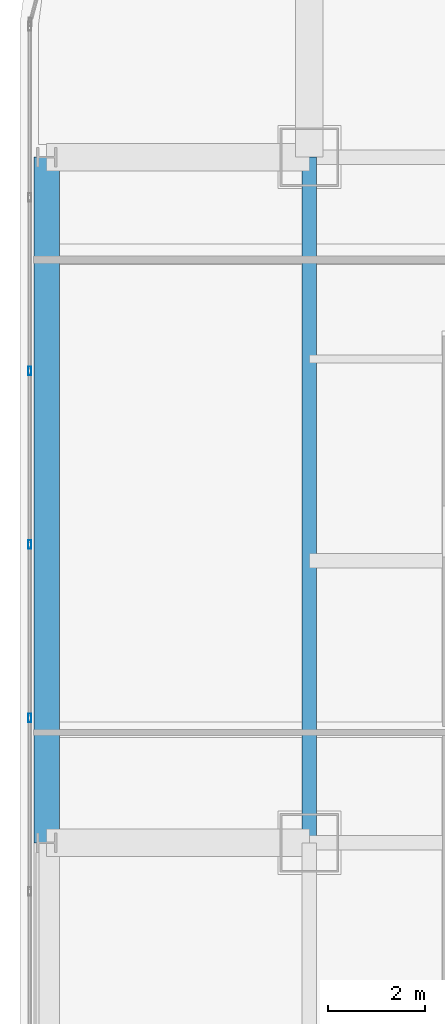
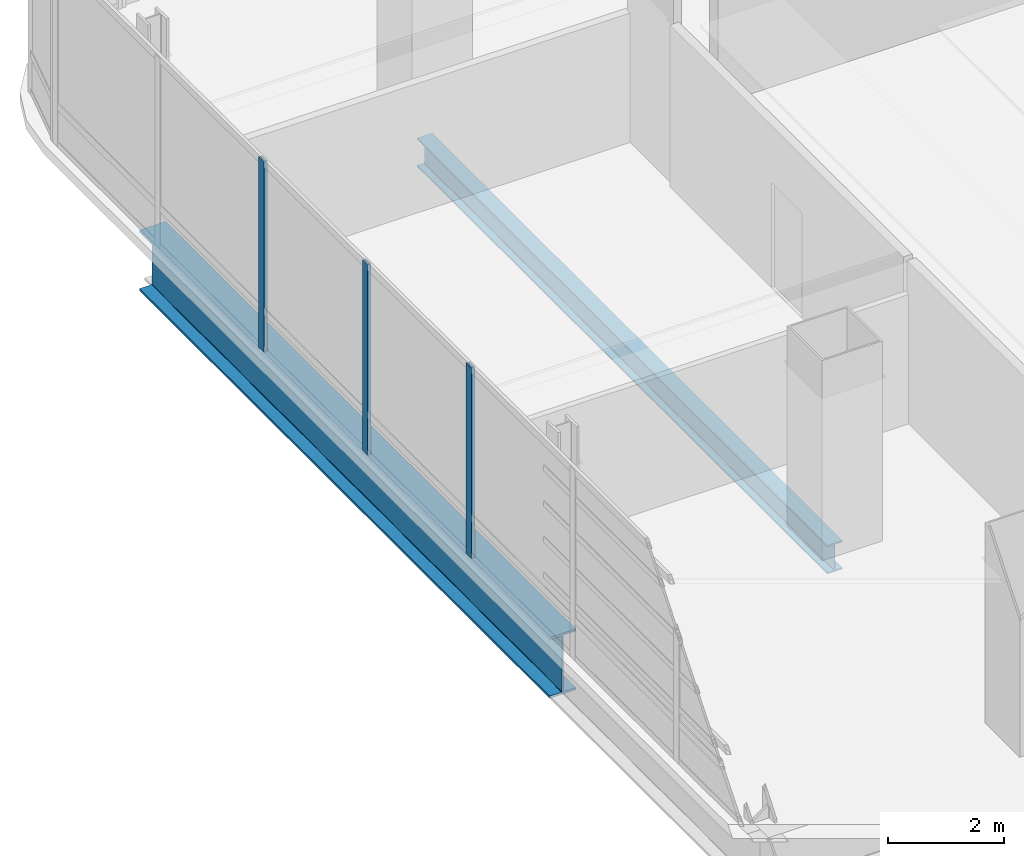
# One storey, part 13 of 42: 3 members, 2 beams, 1 element without a shape of its own.
"""IFC4 building model written with IfcOpenShell, lengths in metres."""

import ifcopenshell
import ifcopenshell.guid

model = None  # the IFC model being written
_history = None  # IfcOwnerHistory: only IFC2X3 demands one
_inside = {}  # id of a spatial element -> (the spatial element, [elements in it])
_under = {}  # id of a project, library or spatial element -> (it, [spatial elements below it])
_declared = {}  # id of a project -> (the project, [libraries it declares])
_typed = {}  # id of a type object -> (the type object, [elements of that type])
_made_of = {}  # id of a material, layer set ... -> (it, [elements and type objects made of it])


def new_model(schema):
    """Start an empty IFC model of exactly this schema.

    Asked for "IFC4X3", IfcOpenShell would pick the latest addendum, in which some entities
    have other attributes; the version numbers below select the first issue.
    IFC2X3 requires an IfcOwnerHistory on every rooted entity: one is made here for all.
    """
    global model, _history
    if schema == "IFC4X3":
        model = ifcopenshell.file(schema_version=(4, 3, 0, 0))
    else:
        model = ifcopenshell.file(schema=schema)
    _inside.clear()
    _under.clear()
    _declared.clear()
    _typed.clear()
    _made_of.clear()
    _history = None
    if model.schema == "IFC2X3":
        org = make("IfcOrganization", Name="unknown")
        user = make(
            "IfcPersonAndOrganization",
            ThePerson=make("IfcPerson", FamilyName="unknown"),
            TheOrganization=org,
        )
        app = make(
            "IfcApplication",
            ApplicationDeveloper=org,
            Version="unknown",
            ApplicationFullName="unknown",
            ApplicationIdentifier="unknown",
        )
        _history = make(
            "IfcOwnerHistory",
            OwningUser=user,
            OwningApplication=app,
            ChangeAction="ADDED",
            CreationDate=0,
        )
    return model


def make(cls, **values):
    """One entity of the class cls with the attributes given. An attribute that is None is left unset."""
    return model.create_entity(
        cls, **{name: value for name, value in values.items() if value is not None}
    )


def rooted(cls, **values):
    """An entity with a GlobalId (a new one), such as an element, a storey or a relation."""
    return make(cls, GlobalId=ifcopenshell.guid.new(), OwnerHistory=_history, **values)


def si_unit(unit_type, name, prefix=None):
    """IfcSIUnit, for example si_unit("LENGTHUNIT", "METRE", prefix="MILLI")."""
    return make("IfcSIUnit", UnitType=unit_type, Prefix=prefix, Name=name)


def assignment(units):
    """IfcUnitAssignment: the units of a project."""
    return None if units is None else make("IfcUnitAssignment", Units=units)


def point(xyz):
    """IfcCartesianPoint."""
    return None if xyz is None else make("IfcCartesianPoint", Coordinates=xyz)


def direction(xyz):
    """IfcDirection."""
    return None if xyz is None else make("IfcDirection", DirectionRatios=xyz)


def frame(location, z_axis=None, x_axis=None):
    """IfcAxis2Placement3D, a coordinate frame: its origin and axes. An axis left out is left unset."""
    return make(
        "IfcAxis2Placement3D",
        Location=point(location),
        Axis=direction(z_axis),
        RefDirection=direction(x_axis),
    )


def frame_2d(location, x_axis=None):
    """IfcAxis2Placement2D, a coordinate frame in the plane: its origin and x axis."""
    return make(
        "IfcAxis2Placement2D", Location=point(location), RefDirection=direction(x_axis)
    )


def origin():
    """The frame at (0, 0, 0) with its axes left unset."""
    return frame((0.0, 0.0, 0.0))


def origin_2d():
    """The frame at (0, 0) in the plane with its x axis left unset."""
    return frame_2d((0.0, 0.0))


def place(relative_to, where):
    """IfcLocalPlacement: puts the frame where relative to a parent placement (None: the world)."""
    return make(
        "IfcLocalPlacement", PlacementRelTo=relative_to, RelativePlacement=where
    )


def context(
    kind, dimensions, precision=None, world=None, true_north=None, identifier=None
):
    """IfcGeometricRepresentationContext, for example the 3D "Model" context."""
    return make(
        "IfcGeometricRepresentationContext",
        ContextIdentifier=identifier,
        ContextType=kind,
        CoordinateSpaceDimension=dimensions,
        Precision=precision,
        WorldCoordinateSystem=world,
        TrueNorth=true_north,
    )


def subcontext(parent, identifier, kind, view, scale=None):
    """IfcGeometricRepresentationSubContext, for example "Body" below "Model"."""
    return make(
        "IfcGeometricRepresentationSubContext",
        ContextIdentifier=identifier,
        ContextType=kind,
        ParentContext=parent,
        TargetScale=scale,
        TargetView=view,
    )


def project(units=None, contexts=None):
    """IfcProject with its units and contexts."""
    return rooted(
        "IfcProject",
        Name="project",
        RepresentationContexts=contexts,
        UnitsInContext=assignment(units),
    )


def spatial(cls, under=None, at=None, **own):
    """A site, building, storey or space (cls), placed at a placement, below another one or the project."""
    s = rooted(cls, ObjectPlacement=at, **own)
    if under is not None:
        _under.setdefault(under.id(), (under, []))[1].append(s)
    return s


def profile(cls, at=None, kind="AREA", **sizes):
    """A parametric profile (cls). Its sizes go by their IFC names, for example OverallWidth=200.0."""
    return make(cls, ProfileType=kind, Position=at, **sizes)


def hollow_rectangle(**sizes):
    """IfcRectangleHollowProfileDef."""
    return profile("IfcRectangleHollowProfileDef", **sizes)


def i_section(**sizes):
    """IfcIShapeProfileDef."""
    return profile("IfcIShapeProfileDef", **sizes)


def extrude(swept, where, along, depth):
    """IfcExtrudedAreaSolid: the profile swept, set in the frame where, extruded along a direction by depth."""
    return make(
        "IfcExtrudedAreaSolid",
        SweptArea=swept,
        Position=where,
        ExtrudedDirection=direction(along),
        Depth=depth,
    )


def shape(context_of_items, identifier, shape_type, items):
    """IfcShapeRepresentation: the items that make up one representation, for example the "Body"."""
    return make(
        "IfcShapeRepresentation",
        ContextOfItems=context_of_items,
        RepresentationIdentifier=identifier,
        RepresentationType=shape_type,
        Items=items,
    )


def material(Name=None, Category=None):
    """IfcMaterial."""
    return make("IfcMaterial", Name=Name, Category=Category)


def material_profile(
    of_material, cross_section, Name=None, Category=None, Priority=None
):
    """IfcMaterialProfile: a cross section and its material."""
    return make(
        "IfcMaterialProfile",
        Name=Name,
        Material=of_material,
        Profile=cross_section,
        Priority=Priority,
        Category=Category,
    )


def profile_set(profiles, Name=None, composite=None):
    """IfcMaterialProfileSet."""
    return make(
        "IfcMaterialProfileSet",
        Name=Name,
        MaterialProfiles=profiles,
        CompositeProfile=composite,
    )


def made_of(thing, what):
    """Note that an element or type object is made of a material, layer set ...; save() writes the relation."""
    if what is not None:
        _made_of.setdefault(what.id(), (what, []))[1].append(thing)
    return thing


def type_object(cls, material=None, **own):
    """A type object (cls), such as IfcWallType, which elements share."""
    return made_of(rooted(cls, **own), material)


def element(
    cls,
    number,
    at=None,
    inside=None,
    cuts=None,
    type_object=None,
    material=None,
    context=None,
    identifier="Body",
    shape_type=None,
    held_by="IfcProductDefinitionShape",
    body=None,
    shapes=None,
    **own,
):
    """One element of the class cls, such as IfcWall. Its Tag is "e" and its number.

    at: its placement. inside: the storey or other place that contains it. cuts: it is an
    opening in that element (IfcRelVoidsElement). A single representation is given by context,
    identifier, shape_type and body (its items); several are given by shapes. held_by: the class
    of the entity that holds the representations. save() writes the other relations.
    """
    e = rooted(cls, Tag="e%d" % number, ObjectPlacement=at, **own)
    if body is not None:
        shapes = [shape(context, identifier, shape_type, body)]
    if shapes is not None:
        e.Representation = make(held_by, Representations=shapes)
    if inside is not None:
        _inside.setdefault(inside.id(), (inside, []))[1].append(e)
    if cuts is not None:
        rooted(
            "IfcRelVoidsElement", RelatingBuildingElement=cuts, RelatedOpeningElement=e
        )
    if type_object is not None:
        _typed.setdefault(type_object.id(), (type_object, []))[1].append(e)
    return made_of(e, material)


def aggregate(whole, parts):
    """IfcRelAggregates: a whole, such as a stair, and the parts it consists of."""
    return rooted("IfcRelAggregates", RelatingObject=whole, RelatedObjects=parts)


def save(model, path):
    """Write the relations noted so far, then the file.

    IfcRelAggregates (storeys below a building ...), IfcRelContainedInSpatialStructure (elements
    in a storey), IfcRelDefinesByType, IfcRelAssociatesMaterial and IfcRelDeclares: one each for
    every whole, place, type object, material and project.
    """
    for whole, parts in _under.values():
        aggregate(whole, parts)
    for where, things in _inside.values():
        rooted(
            "IfcRelContainedInSpatialStructure",
            RelatedElements=things,
            RelatingStructure=where,
        )
    for kind, things in _typed.values():
        rooted("IfcRelDefinesByType", RelatedObjects=things, RelatingType=kind)
    for what, things in _made_of.values():
        rooted("IfcRelAssociatesMaterial", RelatedObjects=things, RelatingMaterial=what)
    for by, libraries in _declared.values():
        rooted("IfcRelDeclares", RelatingContext=by, RelatedDefinitions=libraries)
    model.write(path)


model = new_model("IFC4")

# Units and contexts
model_context = context("Model", 3, precision=1e-05, world=origin(), true_north=direction((0.0, 1.0)))
body_context = subcontext(model_context, "Body", "Model", "MODEL_VIEW")
ifc_project = project(units=[si_unit("LENGTHUNIT", "METRE"), si_unit("AREAUNIT", "SQUARE_METRE"), si_unit("VOLUMEUNIT", "CUBIC_METRE"), si_unit("PLANEANGLEUNIT", "RADIAN"), si_unit("MASSUNIT", "GRAM", prefix="KILO")], contexts=[model_context])

# Site, building, storey
site_placement = place(None, origin())
site = spatial("IfcSite", under=ifc_project, at=site_placement, CompositionType="ELEMENT")
building_placement = place(site_placement, origin())
building = spatial("IfcBuilding", under=site, at=building_placement, Name="Punatoya Terracotta Tower", CompositionType="ELEMENT")
storey_placement = place(building_placement, frame((0.0, 0.0, 304.800048828125)))
storey = spatial("IfcBuildingStorey", under=building, at=storey_placement, Name="L72", CompositionType="ELEMENT", Elevation=304.800048828125)

# Beams
ifc_material_1 = material(Name="Steel S355", Category="steel")
ifc_material_profile_1 = material_profile(ifc_material_1, i_section(OverallWidth=0.300048828125, OverallDepth=0.60009765625, WebThickness=0.015380859375, FlangeThickness=0.030029296875, FilletRadius=0.01806640625, at=origin_2d()))
ifc_profile_set_1 = profile_set([ifc_material_profile_1], Name="Steel S355")
beam_type_1 = type_object("IfcBeamType", Name="BM-PRI-600", PredefinedType="BEAM", material=ifc_profile_set_1)
beam_1_placement = place(storey_placement, frame((-19.10009765625, 3.39990234375, -0.5), z_axis=(0.0, 1.0, 0.0), x_axis=(-1.0, 0.0, 0.0)))
element("IfcBeam", 1, at=beam_1_placement, inside=storey, type_object=beam_type_1, Name="BM-L72-RG-W3", PredefinedType="BEAM", context=body_context, shape_type="SweptSolid", body=[
    extrude(i_section(OverallWidth=0.300048828125, OverallDepth=0.60009765625, WebThickness=0.015380859375, FlangeThickness=0.030029296875, FilletRadius=0.01806640625, at=origin_2d()), origin(), (0.0, 0.0, 1.0), 14.10009765625),
])
ifc_material_2 = material(Name="Steel S460", Category="steel")
ifc_material_profile_2 = material_profile(ifc_material_2, i_section(OverallWidth=0.52001953125, OverallDepth=1.280029296875, WebThickness=0.031982421875, FlangeThickness=0.050048828125, FilletRadius=0.01806640625, at=origin_2d()))
ifc_profile_set_2 = profile_set([ifc_material_profile_2], Name="Steel S460")
beam_type_2 = type_object("IfcBeamType", Name="BM-TG-NCK", PredefinedType="BEAM", material=ifc_profile_set_2)
beam_2_placement = place(storey_placement, frame((-24.5, 3.39990234375, -0.840087890625), z_axis=(0.0, 1.0, 0.0), x_axis=(-1.0, 0.0, 0.0)))
element("IfcBeam", 2, at=beam_2_placement, inside=storey, type_object=beam_type_2, Name="BM-L72-PER-W3", PredefinedType="BEAM", context=body_context, shape_type="SweptSolid", body=[
    extrude(i_section(OverallWidth=0.52001953125, OverallDepth=1.280029296875, WebThickness=0.031982421875, FlangeThickness=0.050048828125, FilletRadius=0.01806640625, at=origin_2d()), origin(), (0.0, 0.0, 1.0), 14.10009765625),
])

# Curtain wall, members
ifc_material_3 = material(Name="Aluminium 6063-T6 + Double Low-E Glass", Category="aluminium")
curtain_wall_type = type_object("IfcCurtainWallType", Name="CW-M3", PredefinedType="NOTDEFINED", material=ifc_material_3)
curtain_wall_placement = place(storey_placement, origin())
curtain_wall = element("IfcCurtainWall", 3, at=curtain_wall_placement, inside=storey, type_object=curtain_wall_type, Name="L72 Curtain Wall CW-L72-W13-1", PredefinedType="NOTDEFINED")
ifc_material_4 = material(Name="Aluminium 6063-T6", Category="aluminium")
ifc_material_profile_3 = material_profile(ifc_material_4, hollow_rectangle(XDim=0.070068359375, YDim=0.179931640625, WallThickness=0.00390625, at=origin_2d()))
ifc_profile_set_3 = profile_set([ifc_material_profile_3], Name="Aluminium 6063-T6")
member_type = type_object("IfcMemberType", Name="CW-MUL-M3", PredefinedType="MULLION", material=ifc_profile_set_3)
member_1_placement = place(storey_placement, frame((-24.85009765625, 13.10205078125, 0.0), z_axis=(0.0, 0.0, 1.0), x_axis=(1.0, 0.0, 0.0)))
member_1 = element("IfcMember", 4, at=member_1_placement, type_object=member_type, Name="CW-L72-W13-1 Mullion 02", PredefinedType="MULLION", context=body_context, shape_type="SweptSolid", body=[
    extrude(hollow_rectangle(XDim=0.070068359375, YDim=0.179931640625, WallThickness=0.00390625, at=origin_2d()), origin(), (0.0, 0.0, 1.0), 4.0),
])
member_2_placement = place(storey_placement, frame((-24.85009765625, 9.534912109375, 0.0), z_axis=(0.0, 0.0, 1.0), x_axis=(1.0, 0.0, 0.0)))
member_2 = element("IfcMember", 5, at=member_2_placement, type_object=member_type, Name="CW-L72-W13-1 Mullion 03", PredefinedType="MULLION", context=body_context, shape_type="SweptSolid", body=[
    extrude(hollow_rectangle(XDim=0.070068359375, YDim=0.179931640625, WallThickness=0.00390625, at=origin_2d()), origin(), (0.0, 0.0, 1.0), 4.0),
])
member_3_placement = place(storey_placement, frame((-24.85009765625, 5.96728515625, 0.0), z_axis=(0.0, 0.0, 1.0), x_axis=(1.0, 0.0, 0.0)))
member_3 = element("IfcMember", 6, at=member_3_placement, type_object=member_type, Name="CW-L72-W13-1 Mullion 04", PredefinedType="MULLION", context=body_context, shape_type="SweptSolid", body=[
    extrude(hollow_rectangle(XDim=0.070068359375, YDim=0.179931640625, WallThickness=0.00390625, at=origin_2d()), origin(), (0.0, 0.0, 1.0), 4.0),
])
aggregate(curtain_wall, [member_1, member_2, member_3])

save(model, "model.ifc")
